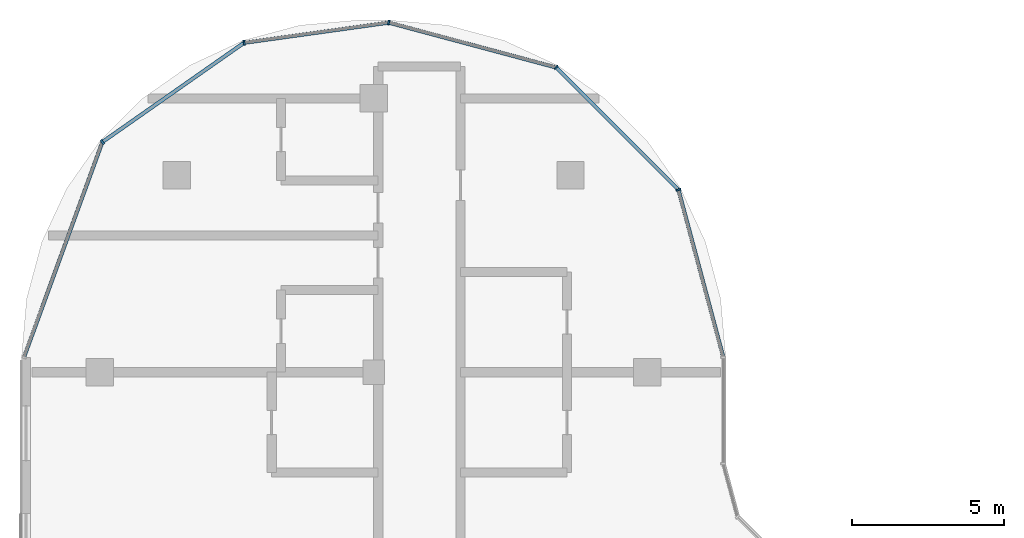
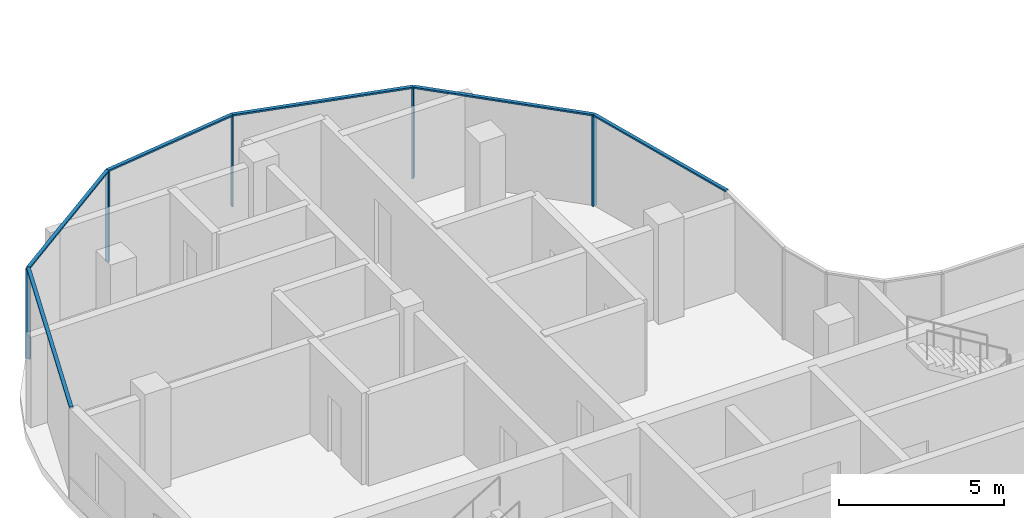
# One storey, part 6 of 18: 11 members, 1 element without a shape of its own.
"""IFC4 building model written with IfcOpenShell, lengths in metres."""

from ifc_helpers import new_model, si_unit, direction, frame, origin, origin_2d, place, context, subcontext, project, spatial, rectangle, extrude, material, material_profile, profile_set, type_object, element, aggregate, save


model = new_model("IFC4")

# Units and contexts
model_context = context("Model", 3, precision=1e-05, world=origin(), true_north=direction((0.0, 1.0)))
body_context = subcontext(model_context, "Body", "Model", "MODEL_VIEW")
ifc_project = project(units=[si_unit("LENGTHUNIT", "METRE"), si_unit("AREAUNIT", "SQUARE_METRE"), si_unit("VOLUMEUNIT", "CUBIC_METRE"), si_unit("PLANEANGLEUNIT", "RADIAN"), si_unit("MASSUNIT", "GRAM", prefix="KILO")], contexts=[model_context])

# Site, building, storey
site_placement = place(None, origin())
site = spatial("IfcSite", under=ifc_project, at=site_placement, CompositionType="ELEMENT")
building_placement = place(site_placement, origin())
building = spatial("IfcBuilding", under=site, at=building_placement, Name="Ogive Portal Towers", CompositionType="ELEMENT")
storey_placement = place(building_placement, frame((0.0, 0.0, 240.199951171875)))
storey = spatial("IfcBuildingStorey", under=building, at=storey_placement, Name="L60", CompositionType="ELEMENT", Elevation=240.199951171875)

# Curtain wall, members
ifc_material_1 = material(Name="Glass, clear low-iron insulated glazing", Category="glass")
curtain_wall_type = type_object("IfcCurtainWallType", Name="CW FRONT RIBBON 4500", PredefinedType="NOTDEFINED", material=ifc_material_1)
curtain_wall_placement = place(storey_placement, origin())
curtain_wall = element("IfcCurtainWall", 1, at=curtain_wall_placement, inside=storey, type_object=curtain_wall_type, Name="A:L60:f21:cwa", PredefinedType="NOTDEFINED")
ifc_material_2 = material(Name="Aluminium 6063 anodised", Category="aluminium")
ifc_material_profile_1 = material_profile(ifc_material_2, rectangle(XDim=0.159912109375, YDim=0.06005859375, at=origin_2d()), Name="AL 60x160")
ifc_profile_set_1 = profile_set([ifc_material_profile_1], Name="Aluminium 6063 anodised")
member_type_1 = type_object("IfcMemberType", Name="CW MULLION 60x160", PredefinedType="MULLION", material=ifc_profile_set_1)
member_1_placement = place(storey_placement, frame((50.51953125, 54.49609375, 0.0), z_axis=(0.0, 0.0, 1.0), x_axis=(-0.965925826289, -0.258819045103, 0.0)))
member_1 = element("IfcMember", 2, at=member_1_placement, type_object=member_type_1, Name="mullion", PredefinedType="MULLION", context=body_context, shape_type="SweptSolid", body=[
    extrude(rectangle(XDim=0.159912109375, YDim=0.06005859375, at=origin_2d()), origin(), (0.0, 0.0, 1.0), 3.340087890625),
])
member_2_placement = place(storey_placement, frame((46.49609375, 58.51953125, 0.0), z_axis=(0.0, 0.0, 1.0), x_axis=(-0.707106781187, -0.707106781187, 0.0)))
member_2 = element("IfcMember", 3, at=member_2_placement, type_object=member_type_1, Name="mullion", PredefinedType="MULLION", context=body_context, shape_type="SweptSolid", body=[
    extrude(rectangle(XDim=0.159912109375, YDim=0.06005859375, at=origin_2d()), origin(), (0.0, 0.0, 1.0), 3.340087890625),
])
member_3_placement = place(storey_placement, frame((40.994873046875, 59.993408203125, 0.0), z_axis=(0.0, 0.0, 1.0), x_axis=(-0.258819045103, -0.965925826289, 0.0)))
member_3 = element("IfcMember", 4, at=member_3_placement, type_object=member_type_1, Name="mullion", PredefinedType="MULLION", context=body_context, shape_type="SweptSolid", body=[
    extrude(rectangle(XDim=0.159912109375, YDim=0.06005859375, at=origin_2d()), origin(), (0.0, 0.0, 1.0), 3.340087890625),
])
member_4_placement = place(storey_placement, frame((36.2421875, 59.33056640625, 0.0), z_axis=(0.0, 0.0, 1.0), x_axis=(0.138161316467, -0.990409738761, 0.0)))
member_4 = element("IfcMember", 5, at=member_4_placement, type_object=member_type_1, Name="mullion", PredefinedType="MULLION", context=body_context, shape_type="SweptSolid", body=[
    extrude(rectangle(XDim=0.159912109375, YDim=0.06005859375, at=origin_2d()), origin(), (0.0, 0.0, 1.0), 3.340087890625),
])
member_5_placement = place(storey_placement, frame((31.58251953125, 56.06787109375, 0.0), z_axis=(0.0, 0.0, 1.0), x_axis=(0.573576436351, -0.819152044289, 0.0)))
member_5 = element("IfcMember", 6, at=member_5_placement, type_object=member_type_1, Name="mullion", PredefinedType="MULLION", context=body_context, shape_type="SweptSolid", body=[
    extrude(rectangle(XDim=0.159912109375, YDim=0.06005859375, at=origin_2d()), origin(), (0.0, 0.0, 1.0), 3.340087890625),
])
ifc_material_profile_2 = material_profile(ifc_material_2, rectangle(XDim=0.1201171875, YDim=0.06005859375, at=origin_2d()), Name="AL 120x60")
ifc_profile_set_2 = profile_set([ifc_material_profile_2], Name="Aluminium 6063 anodised")
member_type_2 = type_object("IfcMemberType", Name="CW TRANSOM 60x120", PredefinedType="USERDEFINED", material=ifc_profile_set_2)
member_6_placement = place(storey_placement, frame((51.9951171875, 48.989501953125, 3.3701171875), z_axis=(-0.258835265962, 0.965921479777, 0.0), x_axis=(-0.965921479777, -0.258835265962, 0.0)))
member_6 = element("IfcMember", 7, at=member_6_placement, type_object=member_type_2, Name="transom", ObjectType="TRANSOM", PredefinedType="USERDEFINED", context=body_context, shape_type="SweptSolid", body=[
    extrude(rectangle(XDim=0.1201171875, YDim=0.06005859375, at=origin_2d()), origin(), (0.0, 0.0, 1.0), 5.700927734375),
])
member_7_placement = place(storey_placement, frame((50.51953125, 54.49609375, 3.3701171875), z_axis=(-0.707106781187, 0.707106781187, 0.0), x_axis=(-0.707106781187, -0.707106781187, 0.0)))
member_7 = element("IfcMember", 8, at=member_7_placement, type_object=member_type_2, Name="transom", ObjectType="TRANSOM", PredefinedType="USERDEFINED", context=body_context, shape_type="SweptSolid", body=[
    extrude(rectangle(XDim=0.1201171875, YDim=0.06005859375, at=origin_2d()), origin(), (0.0, 0.0, 1.0), 5.68994140625),
])
member_8_placement = place(storey_placement, frame((46.49609375, 58.51953125, 3.3701171875), z_axis=(-0.96593331862, 0.258791081725, 0.0), x_axis=(-0.258791081725, -0.96593331862, 0.0)))
member_8 = element("IfcMember", 9, at=member_8_placement, type_object=member_type_2, Name="transom", ObjectType="TRANSOM", PredefinedType="USERDEFINED", context=body_context, shape_type="SweptSolid", body=[
    extrude(rectangle(XDim=0.1201171875, YDim=0.06005859375, at=origin_2d()), origin(), (0.0, 0.0, 1.0), 5.6953125),
])
member_9_placement = place(storey_placement, frame((40.994873046875, 59.993408203125, 3.3701171875), z_axis=(-0.990414123812, -0.138129878571, 0.0), x_axis=(0.138129878571, -0.990414123812, 0.0)))
member_9 = element("IfcMember", 10, at=member_9_placement, type_object=member_type_2, Name="transom", ObjectType="TRANSOM", PredefinedType="USERDEFINED", context=body_context, shape_type="SweptSolid", body=[
    extrude(rectangle(XDim=0.1201171875, YDim=0.06005859375, at=origin_2d()), origin(), (0.0, 0.0, 1.0), 4.798583984375),
])
member_10_placement = place(storey_placement, frame((36.2421875, 59.33056640625, 3.3701171875), z_axis=(-0.819155292405, -0.573571797532, 0.0), x_axis=(0.573571797532, -0.819155292405, 0.0)))
member_10 = element("IfcMember", 11, at=member_10_placement, type_object=member_type_2, Name="transom", ObjectType="TRANSOM", PredefinedType="USERDEFINED", context=body_context, shape_type="SweptSolid", body=[
    extrude(rectangle(XDim=0.1201171875, YDim=0.06005859375, at=origin_2d()), origin(), (0.0, 0.0, 1.0), 5.6884765625),
])
member_11_placement = place(storey_placement, frame((31.58251953125, 56.06787109375, 3.3701171875), z_axis=(-0.342018754399, -0.939693126313, 0.0), x_axis=(0.939693126313, -0.342018754399, 0.0)))
member_11 = element("IfcMember", 12, at=member_11_placement, type_object=member_type_2, Name="transom", ObjectType="TRANSOM", PredefinedType="USERDEFINED", context=body_context, shape_type="SweptSolid", body=[
    extrude(rectangle(XDim=0.1201171875, YDim=0.06005859375, at=origin_2d()), origin(), (0.0, 0.0, 1.0), 7.53662109375),
])
aggregate(curtain_wall, [member_6, member_7, member_8, member_9, member_10, member_11, member_1, member_2, member_3, member_4, member_5])

save(model, "model.ifc")
